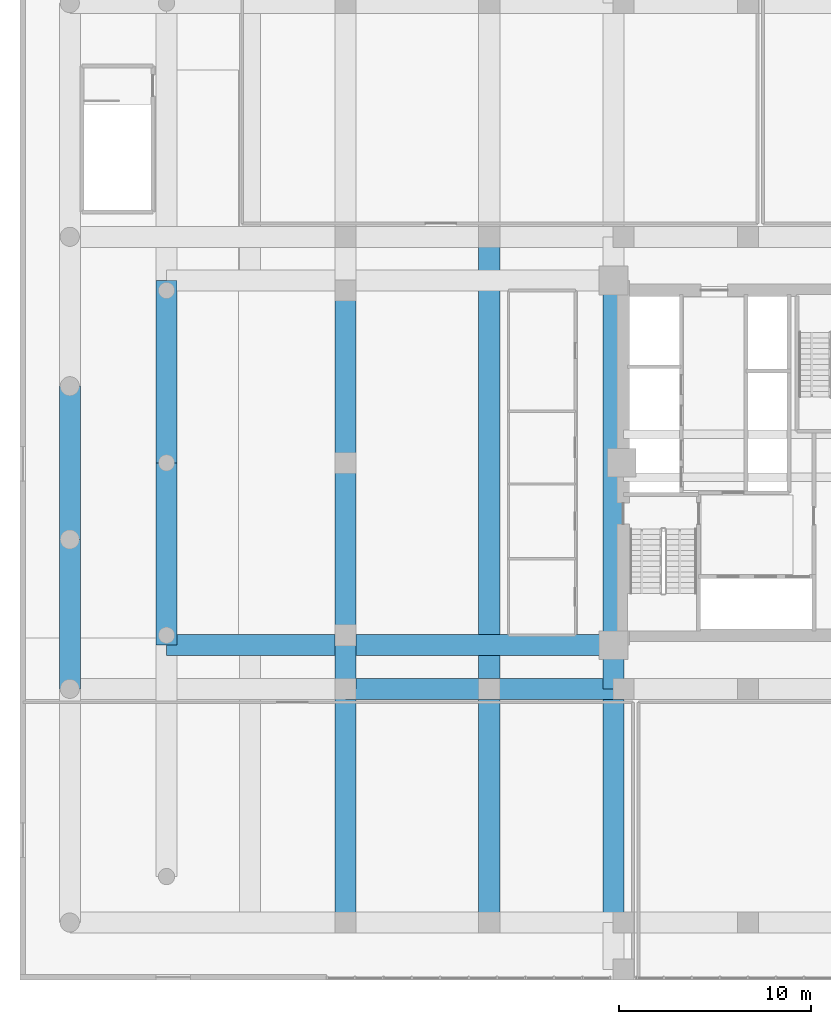
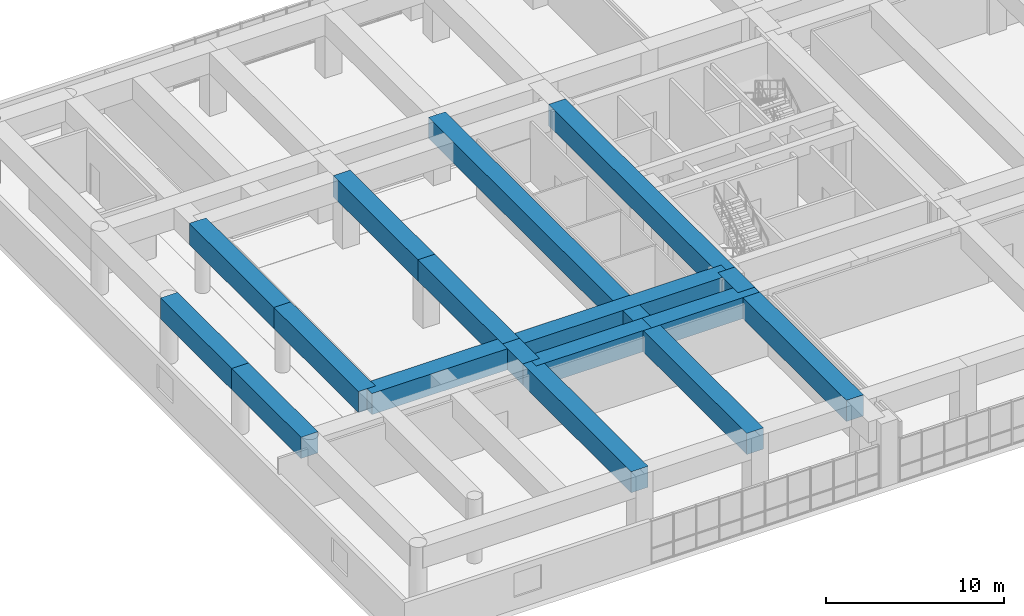
# One storey, part 5 of 28: 17 beams.
"""IFC4 building model written with IfcOpenShell, lengths in metres."""

from ifc_helpers import new_model, si_unit, direction, frame, origin, origin_2d, place, context, subcontext, project, spatial, rectangle, extrude, source, transform, mapped, material, material_profile, profile_set, type_object, element, save


model = new_model("IFC4")

# Units and contexts
model_context = context("Model", 3, precision=1e-05, world=origin(), true_north=direction((0.0, 1.0)))
body_context = subcontext(model_context, "Body", "Model", "MODEL_VIEW")
ifc_project = project(units=[si_unit("LENGTHUNIT", "METRE"), si_unit("AREAUNIT", "SQUARE_METRE"), si_unit("VOLUMEUNIT", "CUBIC_METRE"), si_unit("PLANEANGLEUNIT", "RADIAN"), si_unit("MASSUNIT", "GRAM", prefix="KILO")], contexts=[model_context])

# Site, building, storey
site_placement = place(None, origin())
site = spatial("IfcSite", under=ifc_project, at=site_placement, CompositionType="ELEMENT")
building_placement = place(site_placement, origin())
building = spatial("IfcBuilding", under=site, at=building_placement, Name="Saelheon Loggia Tower", CompositionType="ELEMENT")
storey_placement = place(building_placement, frame((0.0, 0.0, 15.0)))
storey = spatial("IfcBuildingStorey", under=building, at=storey_placement, Name="L04", CompositionType="ELEMENT", Elevation=15.0)

# Beams
ifc_material = material(Name="Concrete C50/60", Category="concrete")
ifc_material_profile_1 = material_profile(ifc_material, rectangle(XDim=1.10009765625, YDim=1.449951171875, at=origin_2d()), Name="RC-1100x1450")
ifc_profile_set_1 = profile_set([ifc_material_profile_1], Name="Concrete C50/60")
beam_type_1 = type_object("IfcBeamType", Name="Beam_Transfer_RC1100x1450", PredefinedType="BEAM", material=ifc_profile_set_1)
shared_shape_1 = source(origin(), body_context, "Body", "SweptSolid", [
    extrude(rectangle(XDim=1.10009765625, YDim=1.449951171875, at=origin_2d()), origin(), (0.0, 0.0, 1.0), 7.5),
])
beam_1_placement = place(storey_placement, frame((17.0, 15.199951171875, 3.675048828125), z_axis=(1.0, 0.0, 0.0), x_axis=(0.0, 1.0, 0.0)))
element("IfcBeam", 1, at=beam_1_placement, inside=storey, type_object=beam_type_1, Name="BM-L04-EW-15-2", PredefinedType="BEAM", context=body_context, shape_type="MappedRepresentation", body=[
    mapped(shared_shape_1, transform((0.0, 0.0, 0.0), scale=1.0)),
])
shared_shape_2 = source(origin(), body_context, "Body", "SweptSolid", [
    extrude(rectangle(XDim=1.10009765625, YDim=1.449951171875, at=origin_2d()), origin(), (0.0, 0.0, 1.0), 7.0),
])
beam_2_placement = place(storey_placement, frame((24.5, 15.199951171875, 3.675048828125), z_axis=(1.0, 0.0, 0.0), x_axis=(0.0, 1.0, 0.0)))
element("IfcBeam", 2, at=beam_2_placement, inside=storey, type_object=beam_type_1, Name="BM-L04-EW-15-3", PredefinedType="BEAM", context=body_context, shape_type="MappedRepresentation", body=[
    mapped(shared_shape_2, transform((0.0, 0.0, 0.0), scale=1.0)),
])
shared_shape_3 = source(origin(), body_context, "Body", "SweptSolid", [
    extrude(rectangle(XDim=1.10009765625, YDim=1.449951171875, at=origin_2d()), origin(), (0.0, 0.0, 1.0), 9.35009765625),
])
beam_3_placement = place(storey_placement, frame((7.64990234375, 17.47998046875, 3.675048828125), z_axis=(1.0, 0.0, 0.0), x_axis=(0.0, 1.0, 0.0)))
element("IfcBeam", 3, at=beam_3_placement, inside=storey, type_object=beam_type_1, Name="BM-L04-CT-17-W1", PredefinedType="BEAM", context=body_context, shape_type="MappedRepresentation", body=[
    mapped(shared_shape_3, transform((0.0, 0.0, 0.0), scale=1.0)),
])
shared_shape_4 = source(origin(), body_context, "Body", "SweptSolid", [
    extrude(rectangle(XDim=1.10009765625, YDim=1.449951171875, at=origin_2d()), origin(), (0.0, 0.0, 1.0), 13.97998046875),
])
beam_4_placement = place(storey_placement, frame((17.0, 17.47998046875, 3.675048828125), z_axis=(1.0, 0.0, 0.0), x_axis=(0.0, 1.0, 0.0)))
element("IfcBeam", 4, at=beam_4_placement, inside=storey, type_object=beam_type_1, Name="BM-L04-CT-17-W2", PredefinedType="BEAM", context=body_context, shape_type="MappedRepresentation", body=[
    mapped(shared_shape_4, transform((0.0, 0.0, 0.0), scale=1.0)),
])
shared_shape_5 = source(origin(), body_context, "Body", "SweptSolid", [
    extrude(rectangle(XDim=1.10009765625, YDim=1.449951171875, at=origin_2d()), origin(), (0.0, 0.0, 1.0), 12.199951171875),
])
for number, where, z_axis, x_axis, name in (
    (5, (17.0, 3.0, 3.675048828125), (0.0, 1.0, 0.0), (-1.0, 0.0, 0.0), "BM-L04-NS-17-1"),
    (6, (24.5, 3.0, 3.675048828125), (0.0, 1.0, 0.0), (-1.0, 0.0, 0.0), "BM-L04-NS-24-1"),
    (7, (30.97998046875, 3.0, 3.675048828125), (0.0, 1.0, 0.0), (-1.0, 0.0, 0.0), "BM-L04-NS-30-2"),
):
    element("IfcBeam", number, at=place(storey_placement, frame(where, z_axis=z_axis, x_axis=x_axis)), inside=storey, type_object=beam_type_1, Name=name, PredefinedType="BEAM", context=body_context, shape_type="MappedRepresentation", body=[
        mapped(shared_shape_5, transform((0.0, 0.0, 0.0), scale=1.0)),
    ])
ifc_material_profile_2 = material_profile(ifc_material, rectangle(XDim=1.10009765625, YDim=1.449951171875, at=origin_2d()), Name="RC-1100x1450")
ifc_profile_set_2 = profile_set([ifc_material_profile_2], Name="Concrete C50/60")
beam_type_2 = type_object("IfcBeamType", Name="Beam_PerimTransfer_RC1100x1450", PredefinedType="BEAM", material=ifc_profile_set_2)
shared_shape_6 = source(origin(), body_context, "Body", "SweptSolid", [
    extrude(rectangle(XDim=1.10009765625, YDim=1.449951171875, at=origin_2d()), origin(), (0.0, 0.0, 1.0), 7.800048828125),
])
beam_5_placement = place(storey_placement, frame((2.60009765625, 15.199951171875, 3.675048828125), z_axis=(0.0, 1.0, 0.0), x_axis=(-1.0, 0.0, 0.0)))
element("IfcBeam", 8, at=beam_5_placement, inside=storey, type_object=beam_type_2, Name="BM-L04-NS-2-2", PredefinedType="BEAM", context=body_context, shape_type="MappedRepresentation", body=[
    mapped(shared_shape_6, transform((0.0, 0.0, 0.0), scale=1.0)),
])
shared_shape_7 = source(origin(), body_context, "Body", "SweptSolid", [
    extrude(rectangle(XDim=1.10009765625, YDim=1.449951171875, at=origin_2d()), origin(), (0.0, 0.0, 1.0), 8.0),
])
beam_6_placement = place(storey_placement, frame((2.60009765625, 23.0, 3.675048828125), z_axis=(0.0, 1.0, 0.0), x_axis=(-1.0, 0.0, 0.0)))
element("IfcBeam", 9, at=beam_6_placement, inside=storey, type_object=beam_type_2, Name="BM-L04-NS-2-3", PredefinedType="BEAM", context=body_context, shape_type="MappedRepresentation", body=[
    mapped(shared_shape_7, transform((0.0, 0.0, 0.0), scale=1.0)),
])
shared_shape_8 = source(origin(), body_context, "Body", "SweptSolid", [
    extrude(rectangle(XDim=1.10009765625, YDim=1.449951171875, at=origin_2d()), origin(), (0.0, 0.0, 1.0), 9.52001953125),
])
for number, where, z_axis, x_axis, name in (
    (10, (7.64990234375, 17.47998046875, 3.675048828125), (0.0, 1.0, 0.0), (-1.0, 0.0, 0.0), "BM-L04-NS-7-2"),
    (11, (7.64990234375, 27.0, 3.675048828125), (0.0, 1.0, 0.0), (-1.0, 0.0, 0.0), "BM-L04-NS-7-3"),
    (12, (17.0, 17.47998046875, 3.675048828125), (0.0, 1.0, 0.0), (-1.0, 0.0, 0.0), "BM-L04-NS-17-3"),
    (13, (17.0, 27.0, 3.675048828125), (0.0, 1.0, 0.0), (-1.0, 0.0, 0.0), "BM-L04-NS-17-4"),
):
    element("IfcBeam", number, at=place(storey_placement, frame(where, z_axis=z_axis, x_axis=x_axis)), inside=storey, type_object=beam_type_1, Name=name, PredefinedType="BEAM", context=body_context, shape_type="MappedRepresentation", body=[
        mapped(shared_shape_8, transform((0.0, 0.0, 0.0), scale=1.0)),
    ])
shared_shape_9 = source(origin(), body_context, "Body", "SweptSolid", [
    extrude(rectangle(XDim=1.10009765625, YDim=1.449951171875, at=origin_2d()), origin(), (0.0, 0.0, 1.0), 2.280029296875),
])
for number, where, z_axis, x_axis, name in (
    (14, (17.0, 15.199951171875, 3.675048828125), (0.0, 1.0, 0.0), (-1.0, 0.0, 0.0), "BM-L04-NS-17-2"),
    (15, (30.97998046875, 15.199951171875, 3.675048828125), (0.0, 1.0, 0.0), (-1.0, 0.0, 0.0), "BM-L04-NS-30-3"),
):
    element("IfcBeam", number, at=place(storey_placement, frame(where, z_axis=z_axis, x_axis=x_axis)), inside=storey, type_object=beam_type_1, Name=name, PredefinedType="BEAM", context=body_context, shape_type="MappedRepresentation", body=[
        mapped(shared_shape_9, transform((0.0, 0.0, 0.0), scale=1.0)),
    ])
shared_shape_10 = source(origin(), body_context, "Body", "SweptSolid", [
    extrude(rectangle(XDim=1.10009765625, YDim=1.449951171875, at=origin_2d()), origin(), (0.0, 0.0, 1.0), 23.60009765625),
])
beam_7_placement = place(storey_placement, frame((24.5, 15.199951171875, 3.675048828125), z_axis=(0.0, 1.0, 0.0), x_axis=(-1.0, 0.0, 0.0)))
element("IfcBeam", 16, at=beam_7_placement, inside=storey, type_object=beam_type_1, Name="BM-L04-NS-24-2", PredefinedType="BEAM", context=body_context, shape_type="MappedRepresentation", body=[
    mapped(shared_shape_10, transform((0.0, 0.0, 0.0), scale=1.0)),
])
shared_shape_11 = source(origin(), body_context, "Body", "SweptSolid", [
    extrude(rectangle(XDim=1.10009765625, YDim=1.449951171875, at=origin_2d()), origin(), (0.0, 0.0, 1.0), 19.0400390625),
])
beam_8_placement = place(storey_placement, frame((30.97998046875, 17.47998046875, 3.675048828125), z_axis=(0.0, 1.0, 0.0), x_axis=(-1.0, 0.0, 0.0)))
element("IfcBeam", 17, at=beam_8_placement, inside=storey, type_object=beam_type_1, Name="BM-L04-NS-30-4", PredefinedType="BEAM", context=body_context, shape_type="MappedRepresentation", body=[
    mapped(shared_shape_11, transform((0.0, 0.0, 0.0), scale=1.0)),
])

save(model, "model.ifc")
